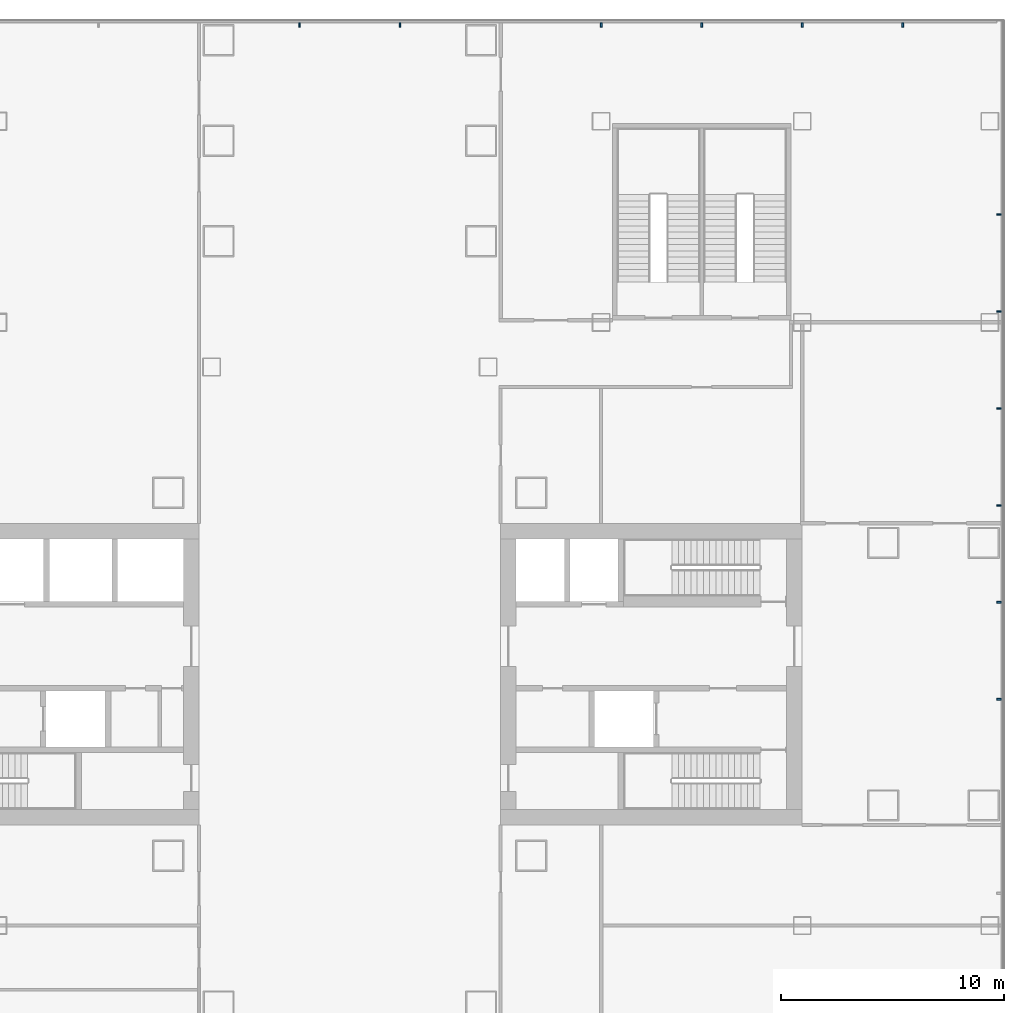
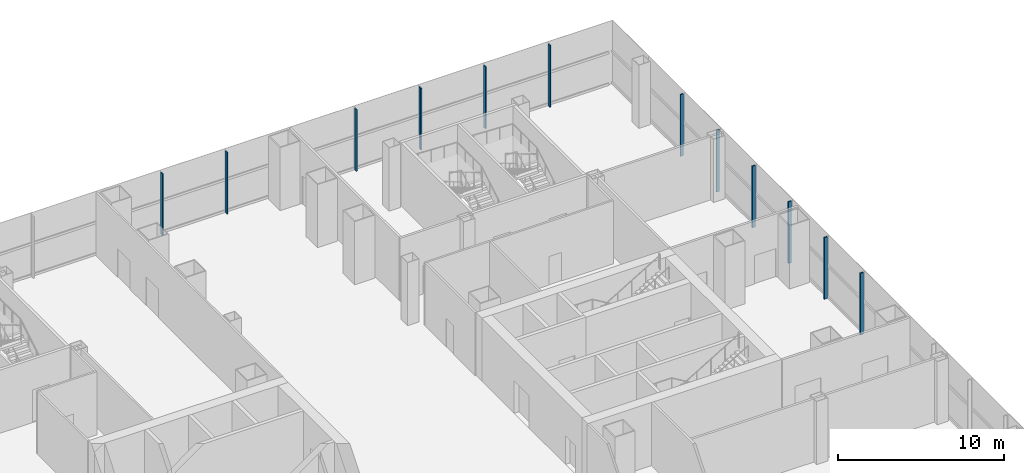
# One storey, part 13 of 30: 12 members, 2 elements without a shape of their own.
"""IFC4 building model written with IfcOpenShell, lengths in metres."""

from ifc_helpers import new_model, si_unit, direction, frame, origin, origin_2d, place, context, subcontext, project, spatial, rectangle, extrude, material, layer, layer_set, material_profile, profile_set, type_object, element, aggregate, save


model = new_model("IFC4")

# Units and contexts
model_context = context("Model", 3, precision=1e-05, world=origin(), true_north=direction((0.0, 1.0)))
body_context = subcontext(model_context, "Body", "Model", "MODEL_VIEW")
ifc_project = project(units=[si_unit("LENGTHUNIT", "METRE"), si_unit("AREAUNIT", "SQUARE_METRE"), si_unit("VOLUMEUNIT", "CUBIC_METRE"), si_unit("PLANEANGLEUNIT", "RADIAN"), si_unit("MASSUNIT", "GRAM", prefix="KILO")], contexts=[model_context])

# Site, building, storey
site_placement = place(None, origin())
site = spatial("IfcSite", under=ifc_project, at=site_placement, CompositionType="ELEMENT")
building_placement = place(site_placement, origin())
building = spatial("IfcBuilding", under=site, at=building_placement, Name="Shamsa Quay Exchange Towers", CompositionType="ELEMENT")
storey_placement = place(building_placement, frame((0.0, 0.0, 23.5)))
storey = spatial("IfcBuildingStorey", under=building, at=storey_placement, Name="L04", CompositionType="ELEMENT", Elevation=23.5)

# Curtain wall, members
ifc_material = material(Name="Aluminium EN AW-6063 T6, black anodised", Category="aluminium")
ifc_layer = layer(ifc_material, 0.33203125)
ifc_layer_set = layer_set([ifc_layer], Name="CW-3 PODIUM SHOPFRONT GLAZING")
curtain_wall_type = type_object("IfcCurtainWallType", Name="CW-3 PODIUM SHOPFRONT GLAZING", PredefinedType="NOTDEFINED", material=ifc_layer_set)
curtain_wall_1_placement = place(storey_placement, origin())
curtain_wall_1 = element("IfcCurtainWall", 1, at=curtain_wall_1_placement, inside=storey, type_object=curtain_wall_type, Name="CW3 PODIUM-L04-F00", PredefinedType="NOTDEFINED")
ifc_material_profile = material_profile(ifc_material, rectangle(XDim=0.219970703125, YDim=0.080078125, at=origin_2d()), Name="MU80x220")
ifc_profile_set = profile_set([ifc_material_profile], Name="Aluminium EN AW-6063 T6, black anodised")
member_type = type_object("IfcMemberType", Name="CW3 MULLION 80x220", PredefinedType="MULLION", material=ifc_profile_set)
member_1_placement = place(storey_placement, frame((62.81005859375, -1.125, 0.0), z_axis=(0.0, 0.0, 1.0), x_axis=(-1.0, 0.0, 0.0)))
member_1 = element("IfcMember", 2, at=member_1_placement, type_object=member_type, Name="CW3 mullion", PredefinedType="MULLION", context=body_context, shape_type="SweptSolid", body=[
    extrude(rectangle(XDim=0.219970703125, YDim=0.080078125, at=origin_2d()), origin(), (0.0, 0.0, 1.0), 4.550048828125),
])
member_2_placement = place(storey_placement, frame((62.81005859375, 3.21435546875, 0.0), z_axis=(0.0, 0.0, 1.0), x_axis=(-1.0, 0.0, 0.0)))
member_2 = element("IfcMember", 3, at=member_2_placement, type_object=member_type, Name="CW3 mullion", PredefinedType="MULLION", context=body_context, shape_type="SweptSolid", body=[
    extrude(rectangle(XDim=0.219970703125, YDim=0.080078125, at=origin_2d()), origin(), (0.0, 0.0, 1.0), 4.550048828125),
])
member_3_placement = place(storey_placement, frame((62.81005859375, 7.553466796875, 0.0), z_axis=(0.0, 0.0, 1.0), x_axis=(-1.0, 0.0, 0.0)))
member_3 = element("IfcMember", 4, at=member_3_placement, type_object=member_type, Name="CW3 mullion", PredefinedType="MULLION", context=body_context, shape_type="SweptSolid", body=[
    extrude(rectangle(XDim=0.219970703125, YDim=0.080078125, at=origin_2d()), origin(), (0.0, 0.0, 1.0), 4.550048828125),
])
member_4_placement = place(storey_placement, frame((62.81005859375, 11.892822265625, 0.0), z_axis=(0.0, 0.0, 1.0), x_axis=(-1.0, 0.0, 0.0)))
member_4 = element("IfcMember", 5, at=member_4_placement, type_object=member_type, Name="CW3 mullion", PredefinedType="MULLION", context=body_context, shape_type="SweptSolid", body=[
    extrude(rectangle(XDim=0.219970703125, YDim=0.080078125, at=origin_2d()), origin(), (0.0, 0.0, 1.0), 4.550048828125),
])
member_5_placement = place(storey_placement, frame((62.81005859375, 16.232177734375, 0.0), z_axis=(0.0, 0.0, 1.0), x_axis=(-1.0, 0.0, 0.0)))
member_5 = element("IfcMember", 6, at=member_5_placement, type_object=member_type, Name="CW3 mullion", PredefinedType="MULLION", context=body_context, shape_type="SweptSolid", body=[
    extrude(rectangle(XDim=0.219970703125, YDim=0.080078125, at=origin_2d()), origin(), (0.0, 0.0, 1.0), 4.550048828125),
])
member_6_placement = place(storey_placement, frame((62.81005859375, 20.571533203125, 0.0), z_axis=(0.0, 0.0, 1.0), x_axis=(-1.0, 0.0, 0.0)))
member_6 = element("IfcMember", 7, at=member_6_placement, type_object=member_type, Name="CW3 mullion", PredefinedType="MULLION", context=body_context, shape_type="SweptSolid", body=[
    extrude(rectangle(XDim=0.219970703125, YDim=0.080078125, at=origin_2d()), origin(), (0.0, 0.0, 1.0), 4.550048828125),
])
aggregate(curtain_wall_1, [member_1, member_2, member_3, member_4, member_5, member_6])

curtain_wall_2_placement = place(storey_placement, origin())
curtain_wall_2 = element("IfcCurtainWall", 8, at=curtain_wall_2_placement, inside=storey, type_object=curtain_wall_type, Name="CW3 PODIUM-L04-F01", PredefinedType="NOTDEFINED")
member_7_placement = place(storey_placement, frame((58.5, 29.06005859375, 0.0), z_axis=(0.0, 0.0, 1.0), x_axis=(0.0, -1.0, 0.0)))
member_7 = element("IfcMember", 9, at=member_7_placement, type_object=member_type, Name="CW3 mullion", PredefinedType="MULLION", context=body_context, shape_type="SweptSolid", body=[
    extrude(rectangle(XDim=0.219970703125, YDim=0.080078125, at=origin_2d()), origin(), (0.0, 0.0, 1.0), 4.550048828125),
])
member_8_placement = place(storey_placement, frame((54.0, 29.06005859375, 0.0), z_axis=(0.0, 0.0, 1.0), x_axis=(0.0, -1.0, 0.0)))
member_8 = element("IfcMember", 10, at=member_8_placement, type_object=member_type, Name="CW3 mullion", PredefinedType="MULLION", context=body_context, shape_type="SweptSolid", body=[
    extrude(rectangle(XDim=0.219970703125, YDim=0.080078125, at=origin_2d()), origin(), (0.0, 0.0, 1.0), 4.550048828125),
])
member_9_placement = place(storey_placement, frame((49.5, 29.06005859375, 0.0), z_axis=(0.0, 0.0, 1.0), x_axis=(0.0, -1.0, 0.0)))
member_9 = element("IfcMember", 11, at=member_9_placement, type_object=member_type, Name="CW3 mullion", PredefinedType="MULLION", context=body_context, shape_type="SweptSolid", body=[
    extrude(rectangle(XDim=0.219970703125, YDim=0.080078125, at=origin_2d()), origin(), (0.0, 0.0, 1.0), 4.550048828125),
])
member_10_placement = place(storey_placement, frame((45.0, 29.06005859375, 0.0), z_axis=(0.0, 0.0, 1.0), x_axis=(0.0, -1.0, 0.0)))
member_10 = element("IfcMember", 12, at=member_10_placement, type_object=member_type, Name="CW3 mullion", PredefinedType="MULLION", context=body_context, shape_type="SweptSolid", body=[
    extrude(rectangle(XDim=0.219970703125, YDim=0.080078125, at=origin_2d()), origin(), (0.0, 0.0, 1.0), 4.550048828125),
])
member_11_placement = place(storey_placement, frame((36.0, 29.06005859375, 0.0), z_axis=(0.0, 0.0, 1.0), x_axis=(0.0, -1.0, 0.0)))
member_11 = element("IfcMember", 13, at=member_11_placement, type_object=member_type, Name="CW3 mullion", PredefinedType="MULLION", context=body_context, shape_type="SweptSolid", body=[
    extrude(rectangle(XDim=0.219970703125, YDim=0.080078125, at=origin_2d()), origin(), (0.0, 0.0, 1.0), 4.550048828125),
])
member_12_placement = place(storey_placement, frame((31.5, 29.06005859375, 0.0), z_axis=(0.0, 0.0, 1.0), x_axis=(0.0, -1.0, 0.0)))
member_12 = element("IfcMember", 14, at=member_12_placement, type_object=member_type, Name="CW3 mullion", PredefinedType="MULLION", context=body_context, shape_type="SweptSolid", body=[
    extrude(rectangle(XDim=0.219970703125, YDim=0.080078125, at=origin_2d()), origin(), (0.0, 0.0, 1.0), 4.550048828125),
])
aggregate(curtain_wall_2, [member_7, member_8, member_9, member_10, member_11, member_12])

save(model, "model.ifc")
